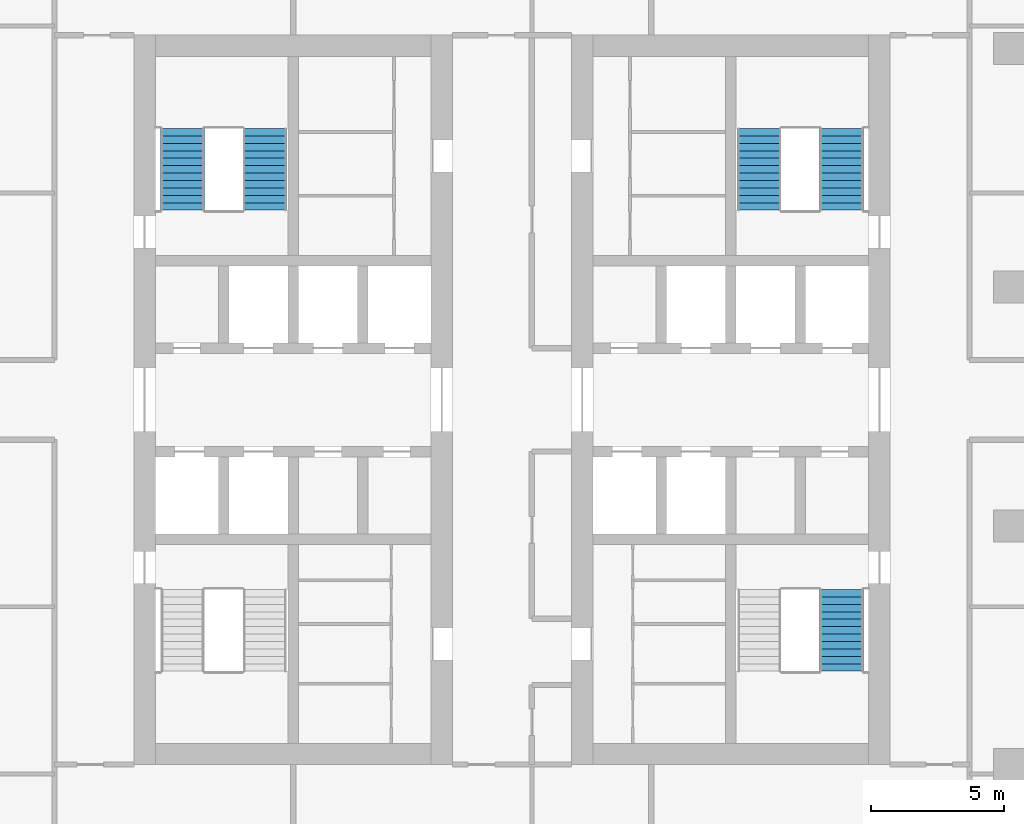
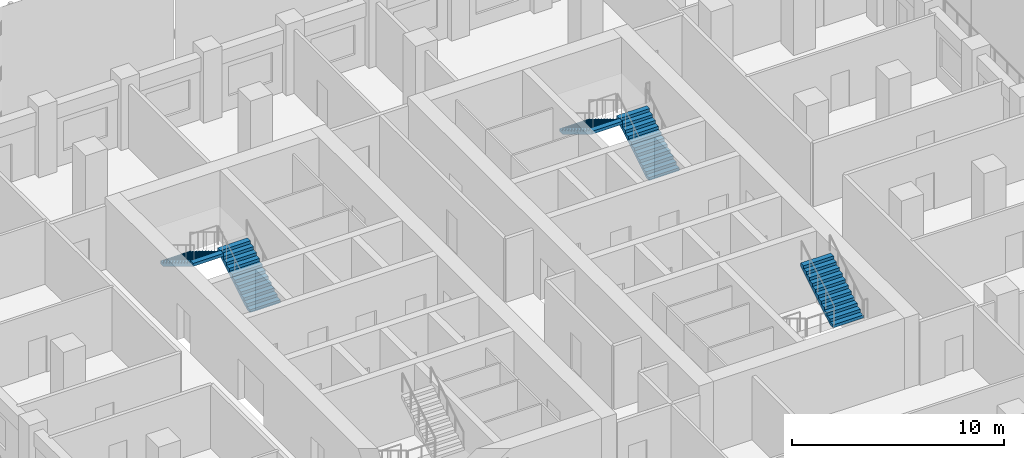
# One storey, part 9 of 17: 5 stair flights, 3 elements without a shape of their own.
"""IFC4 building model written with IfcOpenShell, lengths in metres."""

from ifc_helpers import new_model, si_unit, direction, frame, origin, place, context, subcontext, project, spatial, polyline, outline, extrude, material, type_object, element, aggregate, save


model = new_model("IFC4")

# Units and contexts
model_context = context("Model", 3, precision=1e-05, world=origin(), true_north=direction((0.0, 1.0)))
body_context = subcontext(model_context, "Body", "Model", "MODEL_VIEW")
ifc_project = project(units=[si_unit("LENGTHUNIT", "METRE"), si_unit("AREAUNIT", "SQUARE_METRE"), si_unit("VOLUMEUNIT", "CUBIC_METRE"), si_unit("PLANEANGLEUNIT", "RADIAN"), si_unit("MASSUNIT", "GRAM", prefix="KILO")], contexts=[model_context])

# Site, building, storey
site_placement = place(None, origin())
site = spatial("IfcSite", under=ifc_project, at=site_placement, CompositionType="ELEMENT")
building_placement = place(site_placement, origin())
building = spatial("IfcBuilding", under=site, at=building_placement, Name="Corbel Stack Research Tower", CompositionType="ELEMENT")
storey_placement = place(building_placement, frame((0.0, 0.0, 207.89990234375)))
storey = spatial("IfcBuildingStorey", under=building, at=storey_placement, Name="L47", CompositionType="ELEMENT", Elevation=207.89990234375)

# Stair, stair flights
ifc_material_1 = material(Name="Concrete C40/50", Category="concrete")
stair_type = type_object("IfcStairType", Name="Exit stair 24 risers", PredefinedType="HALF_TURN_STAIR", material=ifc_material_1)
stair_1_placement = place(storey_placement, origin())
stair_1 = element("IfcStair", 1, at=stair_1_placement, inside=storey, type_object=stair_type, Name="L47 Exit stair ST-W2", PredefinedType="HALF_TURN_STAIR")
ifc_material_2 = material(Name="Concrete C40/50", Category="concrete")
stair_flight_type = type_object("IfcStairFlightType", Name="Stair flight 12 risers", PredefinedType="STRAIGHT", material=ifc_material_2)
stair_flight_1_placement = place(storey_placement, frame((-5.574951171875, 11.89990234375, 0.0), z_axis=(0.0, 0.0, 1.0), x_axis=(0.0, 1.0, 0.0)))
stair_flight_1 = element("IfcStairFlight", 2, at=stair_flight_1_placement, type_object=stair_flight_type, Name="ST-W2 flight 1", NumberOfRisers=12, NumberOfTreads=11, PredefinedType="STRAIGHT", RiserHeight=0.170833333, TreadLength=0.28, context=body_context, shape_type="SweptSolid", body=[
    extrude(outline(polyline([(0.0, 0.0), (0.0, 0.1708984375), (0.280029296875, 0.1708984375), (0.280029296875, 0.341552734375), (0.56005859375, 0.341552734375), (0.56005859375, 0.512451171875), (0.840087890625, 0.512451171875), (0.840087890625, 0.683349609375), (1.1201171875, 0.683349609375), (1.1201171875, 0.854248046875), (1.39990234375, 0.854248046875), (1.39990234375, 1.02490234375), (1.679931640625, 1.02490234375), (1.679931640625, 1.19580078125), (1.9599609375, 1.19580078125), (1.9599609375, 1.36669921875), (2.239990234375, 1.36669921875), (2.239990234375, 1.53759765625), (2.52001953125, 1.53759765625), (2.52001953125, 1.708251953125), (2.800048828125, 1.708251953125), (2.800048828125, 1.879150390625), (3.080078125, 1.879150390625), (3.080078125, 2.050048828125), (3.080078125, 1.70361328125), (0.287841796875, 0.0), (0.0, 0.0)])), frame((0.0, 0.824951171875, 0.0), z_axis=(0.0, -1.0, 0.0), x_axis=(1.0, 0.0, 0.0)), (0.0, 0.0, 1.0), 1.64990234375),
])
stair_flight_2_placement = place(storey_placement, frame((-8.675048828125, 14.97998046875, 2.050048828125), z_axis=(0.0, 0.0, 1.0), x_axis=(0.0, -1.0, 0.0)))
stair_flight_2 = element("IfcStairFlight", 3, at=stair_flight_2_placement, type_object=stair_flight_type, Name="ST-W2 flight 2", NumberOfRisers=12, NumberOfTreads=11, PredefinedType="STRAIGHT", RiserHeight=0.170833333, TreadLength=0.28, context=body_context, shape_type="SweptSolid", body=[
    extrude(outline(polyline([(0.0, 0.0), (0.0, 0.1708984375), (0.280029296875, 0.1708984375), (0.280029296875, 0.341552734375), (0.56005859375, 0.341552734375), (0.56005859375, 0.512451171875), (0.840087890625, 0.512451171875), (0.840087890625, 0.683349609375), (1.1201171875, 0.683349609375), (1.1201171875, 0.854248046875), (1.39990234375, 0.854248046875), (1.39990234375, 1.02490234375), (1.679931640625, 1.02490234375), (1.679931640625, 1.19580078125), (1.9599609375, 1.19580078125), (1.9599609375, 1.36669921875), (2.239990234375, 1.36669921875), (2.239990234375, 1.53759765625), (2.52001953125, 1.53759765625), (2.52001953125, 1.708251953125), (2.800048828125, 1.708251953125), (2.800048828125, 1.879150390625), (3.080078125, 1.879150390625), (3.080078125, 2.050048828125), (3.080078125, 1.70361328125), (0.287841796875, 0.0), (0.0, 0.0)])), frame((0.0, 0.824951171875, 0.0), z_axis=(0.0, -1.0, 0.0), x_axis=(1.0, 0.0, 0.0)), (0.0, 0.0, 1.0), 1.64990234375),
])
aggregate(stair_1, [stair_flight_1, stair_flight_2])

# Stair, stair flight
stair_2_placement = place(storey_placement, origin())
stair_2 = element("IfcStair", 4, at=stair_2_placement, inside=storey, type_object=stair_type, Name="L47 Exit stair ST-E1", PredefinedType="HALF_TURN_STAIR")
stair_flight_3_placement = place(storey_placement, frame((16.175048828125, -5.47998046875, 2.050048828125), z_axis=(0.0, 0.0, 1.0), x_axis=(0.0, 1.0, 0.0)))
stair_flight_3 = element("IfcStairFlight", 5, at=stair_flight_3_placement, type_object=stair_flight_type, Name="ST-E1 flight 2", NumberOfRisers=12, NumberOfTreads=11, PredefinedType="STRAIGHT", RiserHeight=0.170833333, TreadLength=0.28, context=body_context, shape_type="SweptSolid", body=[
    extrude(outline(polyline([(0.0, 0.0), (0.0, 0.1708984375), (0.280029296875, 0.1708984375), (0.280029296875, 0.341552734375), (0.56005859375, 0.341552734375), (0.56005859375, 0.512451171875), (0.840087890625, 0.512451171875), (0.840087890625, 0.683349609375), (1.1201171875, 0.683349609375), (1.1201171875, 0.854248046875), (1.39990234375, 0.854248046875), (1.39990234375, 1.02490234375), (1.679931640625, 1.02490234375), (1.679931640625, 1.19580078125), (1.9599609375, 1.19580078125), (1.9599609375, 1.36669921875), (2.239990234375, 1.36669921875), (2.239990234375, 1.53759765625), (2.52001953125, 1.53759765625), (2.52001953125, 1.708251953125), (2.800048828125, 1.708251953125), (2.800048828125, 1.879150390625), (3.080078125, 1.879150390625), (3.080078125, 2.050048828125), (3.080078125, 1.70361328125), (0.287841796875, 0.0), (0.0, 0.0)])), frame((0.0, 0.824951171875, 0.0), z_axis=(0.0, -1.0, 0.0), x_axis=(1.0, 0.0, 0.0)), (0.0, 0.0, 1.0), 1.64990234375),
])
aggregate(stair_2, [stair_flight_3])

# Stair, stair flights
stair_3_placement = place(storey_placement, origin())
stair_3 = element("IfcStair", 6, at=stair_3_placement, inside=storey, type_object=stair_type, Name="L47 Exit stair ST-E2", PredefinedType="HALF_TURN_STAIR")
stair_flight_4_placement = place(storey_placement, frame((16.175048828125, 11.89990234375, 0.0), z_axis=(0.0, 0.0, 1.0), x_axis=(0.0, 1.0, 0.0)))
stair_flight_4 = element("IfcStairFlight", 7, at=stair_flight_4_placement, type_object=stair_flight_type, Name="ST-E2 flight 1", NumberOfRisers=12, NumberOfTreads=11, PredefinedType="STRAIGHT", RiserHeight=0.170833333, TreadLength=0.28, context=body_context, shape_type="SweptSolid", body=[
    extrude(outline(polyline([(0.0, 0.0), (0.0, 0.1708984375), (0.280029296875, 0.1708984375), (0.280029296875, 0.341552734375), (0.56005859375, 0.341552734375), (0.56005859375, 0.512451171875), (0.840087890625, 0.512451171875), (0.840087890625, 0.683349609375), (1.1201171875, 0.683349609375), (1.1201171875, 0.854248046875), (1.39990234375, 0.854248046875), (1.39990234375, 1.02490234375), (1.679931640625, 1.02490234375), (1.679931640625, 1.19580078125), (1.9599609375, 1.19580078125), (1.9599609375, 1.36669921875), (2.239990234375, 1.36669921875), (2.239990234375, 1.53759765625), (2.52001953125, 1.53759765625), (2.52001953125, 1.708251953125), (2.800048828125, 1.708251953125), (2.800048828125, 1.879150390625), (3.080078125, 1.879150390625), (3.080078125, 2.050048828125), (3.080078125, 1.70361328125), (0.287841796875, 0.0), (0.0, 0.0)])), frame((0.0, 0.824951171875, 0.0), z_axis=(0.0, -1.0, 0.0), x_axis=(1.0, 0.0, 0.0)), (0.0, 0.0, 1.0), 1.64990234375),
])
stair_flight_5_placement = place(storey_placement, frame((13.074951171875, 14.97998046875, 2.050048828125), z_axis=(0.0, 0.0, 1.0), x_axis=(0.0, -1.0, 0.0)))
stair_flight_5 = element("IfcStairFlight", 8, at=stair_flight_5_placement, type_object=stair_flight_type, Name="ST-E2 flight 2", NumberOfRisers=12, NumberOfTreads=11, PredefinedType="STRAIGHT", RiserHeight=0.170833333, TreadLength=0.28, context=body_context, shape_type="SweptSolid", body=[
    extrude(outline(polyline([(0.0, 0.0), (0.0, 0.1708984375), (0.280029296875, 0.1708984375), (0.280029296875, 0.341552734375), (0.56005859375, 0.341552734375), (0.56005859375, 0.512451171875), (0.840087890625, 0.512451171875), (0.840087890625, 0.683349609375), (1.1201171875, 0.683349609375), (1.1201171875, 0.854248046875), (1.39990234375, 0.854248046875), (1.39990234375, 1.02490234375), (1.679931640625, 1.02490234375), (1.679931640625, 1.19580078125), (1.9599609375, 1.19580078125), (1.9599609375, 1.36669921875), (2.239990234375, 1.36669921875), (2.239990234375, 1.53759765625), (2.52001953125, 1.53759765625), (2.52001953125, 1.708251953125), (2.800048828125, 1.708251953125), (2.800048828125, 1.879150390625), (3.080078125, 1.879150390625), (3.080078125, 2.050048828125), (3.080078125, 1.70361328125), (0.287841796875, 0.0), (0.0, 0.0)])), frame((0.0, 0.824951171875, 0.0), z_axis=(0.0, -1.0, 0.0), x_axis=(1.0, 0.0, 0.0)), (0.0, 0.0, 1.0), 1.64990234375),
])
aggregate(stair_3, [stair_flight_4, stair_flight_5])

save(model, "model.ifc")
